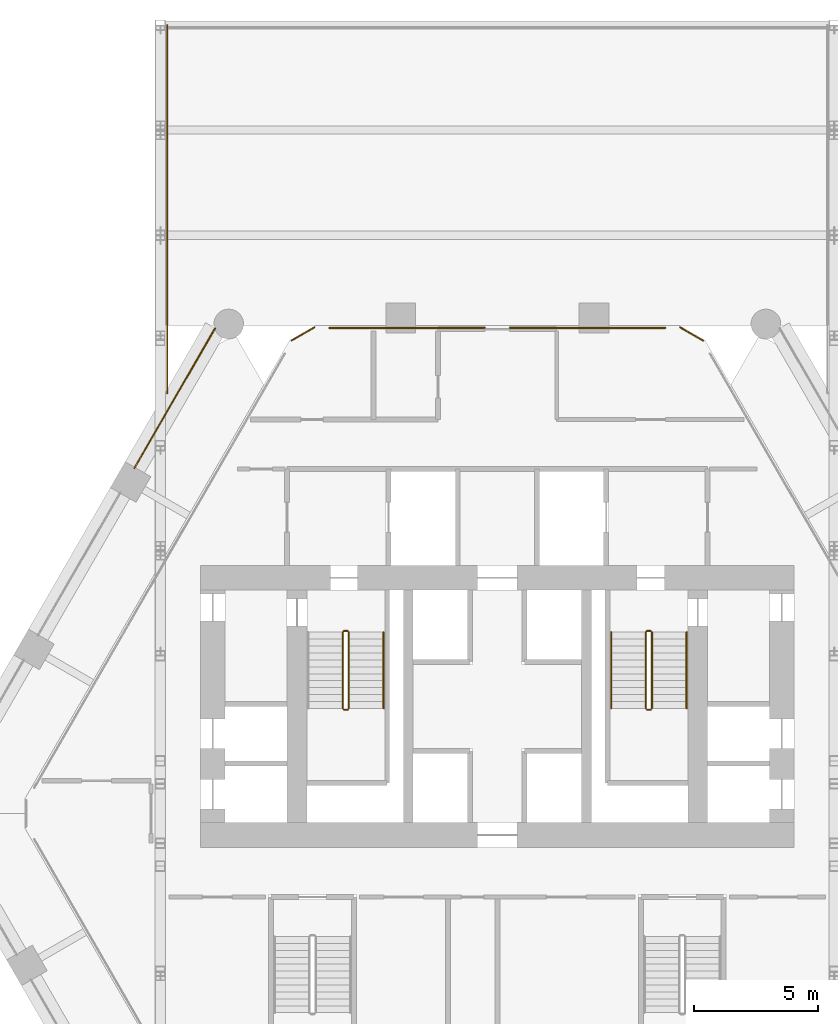
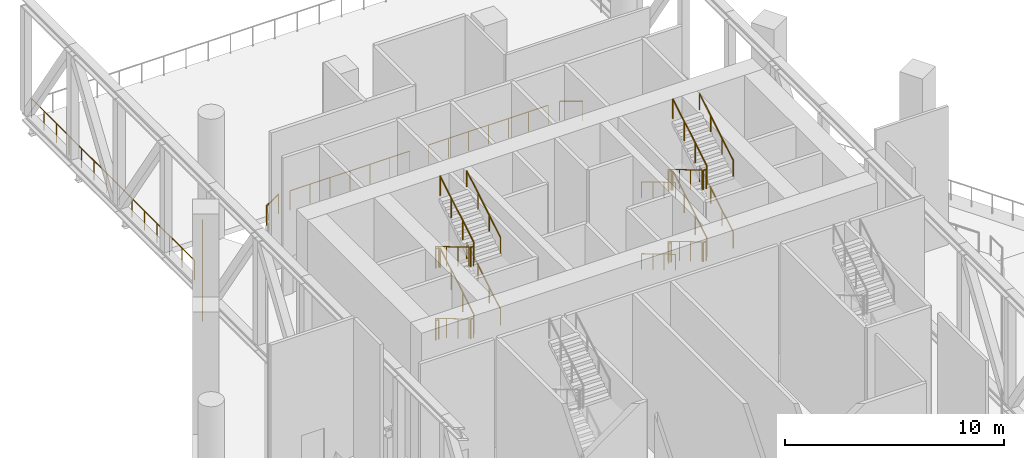
# One storey, part 15 of 16: 28 railings.
"""IFC4 building model written with IfcOpenShell, lengths in metres."""

import ifcopenshell
import ifcopenshell.guid

model = None  # the IFC model being written
_history = None  # IfcOwnerHistory: only IFC2X3 demands one
_inside = {}  # id of a spatial element -> (the spatial element, [elements in it])
_under = {}  # id of a project, library or spatial element -> (it, [spatial elements below it])
_declared = {}  # id of a project -> (the project, [libraries it declares])
_typed = {}  # id of a type object -> (the type object, [elements of that type])
_made_of = {}  # id of a material, layer set ... -> (it, [elements and type objects made of it])


def new_model(schema):
    """Start an empty IFC model of exactly this schema.

    Asked for "IFC4X3", IfcOpenShell would pick the latest addendum, in which some entities
    have other attributes; the version numbers below select the first issue.
    IFC2X3 requires an IfcOwnerHistory on every rooted entity: one is made here for all.
    """
    global model, _history
    if schema == "IFC4X3":
        model = ifcopenshell.file(schema_version=(4, 3, 0, 0))
    else:
        model = ifcopenshell.file(schema=schema)
    _inside.clear()
    _under.clear()
    _declared.clear()
    _typed.clear()
    _made_of.clear()
    _history = None
    if model.schema == "IFC2X3":
        org = make("IfcOrganization", Name="unknown")
        user = make(
            "IfcPersonAndOrganization",
            ThePerson=make("IfcPerson", FamilyName="unknown"),
            TheOrganization=org,
        )
        app = make(
            "IfcApplication",
            ApplicationDeveloper=org,
            Version="unknown",
            ApplicationFullName="unknown",
            ApplicationIdentifier="unknown",
        )
        _history = make(
            "IfcOwnerHistory",
            OwningUser=user,
            OwningApplication=app,
            ChangeAction="ADDED",
            CreationDate=0,
        )
    return model


def make(cls, **values):
    """One entity of the class cls with the attributes given. An attribute that is None is left unset."""
    return model.create_entity(
        cls, **{name: value for name, value in values.items() if value is not None}
    )


def rooted(cls, **values):
    """An entity with a GlobalId (a new one), such as an element, a storey or a relation."""
    return make(cls, GlobalId=ifcopenshell.guid.new(), OwnerHistory=_history, **values)


def si_unit(unit_type, name, prefix=None):
    """IfcSIUnit, for example si_unit("LENGTHUNIT", "METRE", prefix="MILLI")."""
    return make("IfcSIUnit", UnitType=unit_type, Prefix=prefix, Name=name)


def assignment(units):
    """IfcUnitAssignment: the units of a project."""
    return None if units is None else make("IfcUnitAssignment", Units=units)


def point(xyz):
    """IfcCartesianPoint."""
    return None if xyz is None else make("IfcCartesianPoint", Coordinates=xyz)


def direction(xyz):
    """IfcDirection."""
    return None if xyz is None else make("IfcDirection", DirectionRatios=xyz)


def frame(location, z_axis=None, x_axis=None):
    """IfcAxis2Placement3D, a coordinate frame: its origin and axes. An axis left out is left unset."""
    return make(
        "IfcAxis2Placement3D",
        Location=point(location),
        Axis=direction(z_axis),
        RefDirection=direction(x_axis),
    )


def frame_2d(location, x_axis=None):
    """IfcAxis2Placement2D, a coordinate frame in the plane: its origin and x axis."""
    return make(
        "IfcAxis2Placement2D", Location=point(location), RefDirection=direction(x_axis)
    )


def origin():
    """The frame at (0, 0, 0) with its axes left unset."""
    return frame((0.0, 0.0, 0.0))


def origin_2d():
    """The frame at (0, 0) in the plane with its x axis left unset."""
    return frame_2d((0.0, 0.0))


def place(relative_to, where):
    """IfcLocalPlacement: puts the frame where relative to a parent placement (None: the world)."""
    return make(
        "IfcLocalPlacement", PlacementRelTo=relative_to, RelativePlacement=where
    )


def context(
    kind, dimensions, precision=None, world=None, true_north=None, identifier=None
):
    """IfcGeometricRepresentationContext, for example the 3D "Model" context."""
    return make(
        "IfcGeometricRepresentationContext",
        ContextIdentifier=identifier,
        ContextType=kind,
        CoordinateSpaceDimension=dimensions,
        Precision=precision,
        WorldCoordinateSystem=world,
        TrueNorth=true_north,
    )


def subcontext(parent, identifier, kind, view, scale=None):
    """IfcGeometricRepresentationSubContext, for example "Body" below "Model"."""
    return make(
        "IfcGeometricRepresentationSubContext",
        ContextIdentifier=identifier,
        ContextType=kind,
        ParentContext=parent,
        TargetScale=scale,
        TargetView=view,
    )


def project(units=None, contexts=None):
    """IfcProject with its units and contexts."""
    return rooted(
        "IfcProject",
        Name="project",
        RepresentationContexts=contexts,
        UnitsInContext=assignment(units),
    )


def spatial(cls, under=None, at=None, **own):
    """A site, building, storey or space (cls), placed at a placement, below another one or the project."""
    s = rooted(cls, ObjectPlacement=at, **own)
    if under is not None:
        _under.setdefault(under.id(), (under, []))[1].append(s)
    return s


def profile(cls, at=None, kind="AREA", **sizes):
    """A parametric profile (cls). Its sizes go by their IFC names, for example OverallWidth=200.0."""
    return make(cls, ProfileType=kind, Position=at, **sizes)


def circle(**sizes):
    """IfcCircleProfileDef."""
    return profile("IfcCircleProfileDef", **sizes)


def extrude(swept, where, along, depth):
    """IfcExtrudedAreaSolid: the profile swept, set in the frame where, extruded along a direction by depth."""
    return make(
        "IfcExtrudedAreaSolid",
        SweptArea=swept,
        Position=where,
        ExtrudedDirection=direction(along),
        Depth=depth,
    )


def shape(context_of_items, identifier, shape_type, items):
    """IfcShapeRepresentation: the items that make up one representation, for example the "Body"."""
    return make(
        "IfcShapeRepresentation",
        ContextOfItems=context_of_items,
        RepresentationIdentifier=identifier,
        RepresentationType=shape_type,
        Items=items,
    )


def material(Name=None, Category=None):
    """IfcMaterial."""
    return make("IfcMaterial", Name=Name, Category=Category)


def made_of(thing, what):
    """Note that an element or type object is made of a material, layer set ...; save() writes the relation."""
    if what is not None:
        _made_of.setdefault(what.id(), (what, []))[1].append(thing)
    return thing


def type_object(cls, material=None, **own):
    """A type object (cls), such as IfcWallType, which elements share."""
    return made_of(rooted(cls, **own), material)


def element(
    cls,
    number,
    at=None,
    inside=None,
    cuts=None,
    type_object=None,
    material=None,
    context=None,
    identifier="Body",
    shape_type=None,
    held_by="IfcProductDefinitionShape",
    body=None,
    shapes=None,
    **own,
):
    """One element of the class cls, such as IfcWall. Its Tag is "e" and its number.

    at: its placement. inside: the storey or other place that contains it. cuts: it is an
    opening in that element (IfcRelVoidsElement). A single representation is given by context,
    identifier, shape_type and body (its items); several are given by shapes. held_by: the class
    of the entity that holds the representations. save() writes the other relations.
    """
    e = rooted(cls, Tag="e%d" % number, ObjectPlacement=at, **own)
    if body is not None:
        shapes = [shape(context, identifier, shape_type, body)]
    if shapes is not None:
        e.Representation = make(held_by, Representations=shapes)
    if inside is not None:
        _inside.setdefault(inside.id(), (inside, []))[1].append(e)
    if cuts is not None:
        rooted(
            "IfcRelVoidsElement", RelatingBuildingElement=cuts, RelatedOpeningElement=e
        )
    if type_object is not None:
        _typed.setdefault(type_object.id(), (type_object, []))[1].append(e)
    return made_of(e, material)


def aggregate(whole, parts):
    """IfcRelAggregates: a whole, such as a stair, and the parts it consists of."""
    return rooted("IfcRelAggregates", RelatingObject=whole, RelatedObjects=parts)


def save(model, path):
    """Write the relations noted so far, then the file.

    IfcRelAggregates (storeys below a building ...), IfcRelContainedInSpatialStructure (elements
    in a storey), IfcRelDefinesByType, IfcRelAssociatesMaterial and IfcRelDeclares: one each for
    every whole, place, type object, material and project.
    """
    for whole, parts in _under.values():
        aggregate(whole, parts)
    for where, things in _inside.values():
        rooted(
            "IfcRelContainedInSpatialStructure",
            RelatedElements=things,
            RelatingStructure=where,
        )
    for kind, things in _typed.values():
        rooted("IfcRelDefinesByType", RelatedObjects=things, RelatingType=kind)
    for what, things in _made_of.values():
        rooted("IfcRelAssociatesMaterial", RelatedObjects=things, RelatingMaterial=what)
    for by, libraries in _declared.values():
        rooted("IfcRelDeclares", RelatingContext=by, RelatedDefinitions=libraries)
    model.write(path)


model = new_model("IFC4")

# Units and contexts
model_context = context("Model", 3, precision=1e-05, world=origin(), true_north=direction((0.0, 1.0)))
body_context = subcontext(model_context, "Body", "Model", "MODEL_VIEW")
ifc_project = project(units=[si_unit("LENGTHUNIT", "METRE"), si_unit("AREAUNIT", "SQUARE_METRE"), si_unit("VOLUMEUNIT", "CUBIC_METRE"), si_unit("PLANEANGLEUNIT", "RADIAN"), si_unit("MASSUNIT", "GRAM", prefix="KILO")], contexts=[model_context])

# Site, building, storey
site_placement = place(None, origin())
site = spatial("IfcSite", under=ifc_project, at=site_placement, CompositionType="ELEMENT")
building_placement = place(site_placement, origin())
building = spatial("IfcBuilding", under=site, at=building_placement, Name="Ostrander Bayou Hotel Tower", CompositionType="ELEMENT")
storey_placement = place(building_placement, frame((0.0, 0.0, 108.0)))
storey = spatial("IfcBuildingStorey", under=building, at=storey_placement, Name="L27", CompositionType="ELEMENT", Elevation=108.0)

# Railings
ifc_material_1 = material(Name="Stainless steel and clear glass", Category="steel")
railing_type_1 = type_object("IfcRailingType", Name="GR1 guard 1100 mm", PredefinedType="GUARDRAIL", material=ifc_material_1)
railing_1_placement = place(storey_placement, frame((-11.407958984375, 19.286376953125, 0.0)))
element("IfcRailing", 1, at=railing_1_placement, inside=storey, type_object=railing_type_1, Name="GR1 L27 NW-1 open band guard", PredefinedType="GUARDRAIL", context=body_context, shape_type="SweptSolid", body=[
    extrude(circle(Radius=0.02490234375, at=origin_2d()), frame((0.0, 0.0, 1.0751953125), z_axis=(-0.499971966783, -0.866041588165, 0.0), x_axis=(0.866041588165, -0.499971966783, 0.0)), (0.0, 0.0, 1.0), 6.521728515625),
    extrude(circle(Radius=0.02001953125, at=origin_2d()), origin(), (0.0, 0.0, 1.0), 1.050048828125),
    extrude(circle(Radius=0.02001953125, at=origin_2d()), frame((-0.54345703125, -0.94140625, 0.0)), (0.0, 0.0, 1.0), 1.050048828125),
    extrude(circle(Radius=0.02001953125, at=origin_2d()), frame((-1.0869140625, -1.8828125, 0.0)), (0.0, 0.0, 1.0), 1.050048828125),
    extrude(circle(Radius=0.02001953125, at=origin_2d()), frame((-1.63037109375, -2.82421875, 0.0)), (0.0, 0.0, 1.0), 1.050048828125),
    extrude(circle(Radius=0.02001953125, at=origin_2d()), frame((-2.173828125, -3.765380859375, 0.0)), (0.0, 0.0, 1.0), 1.050048828125),
    extrude(circle(Radius=0.02001953125, at=origin_2d()), frame((-2.71728515625, -4.706787109375, 0.0)), (0.0, 0.0, 1.0), 1.050048828125),
    extrude(circle(Radius=0.02001953125, at=origin_2d()), frame((-3.2607421875, -5.648193359375, 0.0)), (0.0, 0.0, 1.0), 1.050048828125),
])
railing_2_placement = place(storey_placement, frame((-7.393310546875, 19.324951171875, 0.0)))
element("IfcRailing", 2, at=railing_2_placement, inside=storey, type_object=railing_type_1, Name="GR1 L27 corner guard 1", PredefinedType="GUARDRAIL", context=body_context, shape_type="SweptSolid", body=[
    extrude(circle(Radius=0.02490234375, at=origin_2d()), frame((0.0, 0.0, 1.0751953125), z_axis=(-0.865990848561, -0.500059846627, 0.0), x_axis=(0.500059846627, -0.865990848561, 0.0)), (0.0, 0.0, 1.0), 1.064697265625),
    extrude(circle(Radius=0.02001953125, at=origin_2d()), origin(), (0.0, 0.0, 1.0), 1.050048828125),
    extrude(circle(Radius=0.02001953125, at=origin_2d()), frame((-0.922119140625, -0.532470703125, 0.0)), (0.0, 0.0, 1.0), 1.050048828125),
])
railing_3_placement = place(storey_placement, frame((8.3154296875, 18.79248046875, 0.0)))
element("IfcRailing", 3, at=railing_3_placement, inside=storey, type_object=railing_type_1, Name="GR1 L27 corner guard 6", PredefinedType="GUARDRAIL", context=body_context, shape_type="SweptSolid", body=[
    extrude(circle(Radius=0.02490234375, at=origin_2d()), frame((0.0, 0.0, 1.0751953125), z_axis=(-0.865990848561, 0.500059846627, 0.0), x_axis=(-0.500059846627, -0.865990848561, 0.0)), (0.0, 0.0, 1.0), 1.064697265625),
    extrude(circle(Radius=0.02001953125, at=origin_2d()), origin(), (0.0, 0.0, 1.0), 1.050048828125),
    extrude(circle(Radius=0.02001953125, at=origin_2d()), frame((-0.922119140625, 0.532470703125, 0.0)), (0.0, 0.0, 1.0), 1.050048828125),
])
railing_4_placement = place(storey_placement, frame((-13.34228515625, 31.54541015625, 0.0)))
element("IfcRailing", 4, at=railing_4_placement, inside=storey, type_object=railing_type_1, Name="GR1 bar roof guard SB2 4", PredefinedType="GUARDRAIL", context=body_context, shape_type="SweptSolid", body=[
    extrude(circle(Radius=0.02490234375, at=origin_2d()), frame((0.0, 0.0, 1.0751953125), z_axis=(0.0, -1.0, 0.0), x_axis=(1.0, 0.0, 0.0)), (0.0, 0.0, 1.0), 14.882568359375),
    extrude(circle(Radius=0.02001953125, at=origin_2d()), origin(), (0.0, 0.0, 1.0), 1.050048828125),
    extrude(circle(Radius=0.02001953125, at=origin_2d()), frame((0.0, -1.144775390625, 0.0)), (0.0, 0.0, 1.0), 1.050048828125),
    extrude(circle(Radius=0.02001953125, at=origin_2d()), frame((0.0, -2.28955078125, 0.0)), (0.0, 0.0, 1.0), 1.050048828125),
    extrude(circle(Radius=0.02001953125, at=origin_2d()), frame((0.0, -3.434326171875, 0.0)), (0.0, 0.0, 1.0), 1.050048828125),
    extrude(circle(Radius=0.02001953125, at=origin_2d()), frame((0.0, -4.579345703125, 0.0)), (0.0, 0.0, 1.0), 1.050048828125),
    extrude(circle(Radius=0.02001953125, at=origin_2d()), frame((0.0, -5.72412109375, 0.0)), (0.0, 0.0, 1.0), 1.050048828125),
    extrude(circle(Radius=0.02001953125, at=origin_2d()), frame((0.0, -6.868896484375, 0.0)), (0.0, 0.0, 1.0), 1.050048828125),
    extrude(circle(Radius=0.02001953125, at=origin_2d()), frame((0.0, -8.013671875, 0.0)), (0.0, 0.0, 1.0), 1.050048828125),
    extrude(circle(Radius=0.02001953125, at=origin_2d()), frame((0.0, -9.158447265625, 0.0)), (0.0, 0.0, 1.0), 1.050048828125),
    extrude(circle(Radius=0.02001953125, at=origin_2d()), frame((0.0, -10.30322265625, 0.0)), (0.0, 0.0, 1.0), 1.050048828125),
    extrude(circle(Radius=0.02001953125, at=origin_2d()), frame((0.0, -11.4482421875, 0.0)), (0.0, 0.0, 1.0), 1.050048828125),
    extrude(circle(Radius=0.02001953125, at=origin_2d()), frame((0.0, -12.593017578125, 0.0)), (0.0, 0.0, 1.0), 1.050048828125),
    extrude(circle(Radius=0.02001953125, at=origin_2d()), frame((0.0, -13.73779296875, 0.0)), (0.0, 0.0, 1.0), 1.050048828125),
    extrude(circle(Radius=0.02001953125, at=origin_2d()), frame((0.0, -14.882568359375, 0.0)), (0.0, 0.0, 1.0), 1.050048828125),
])
for number, where, name in (
    (5, (-6.794189453125, 19.300048828125, 0.0), "GR1 L27 edge guard 1"),
    (6, (0.5, 19.300048828125, 0.0), "GR1 L27 edge guard 1"),
):
    element("IfcRailing", number, at=place(storey_placement, frame(where)), inside=storey, type_object=railing_type_1, Name=name, PredefinedType="GUARDRAIL", context=body_context, shape_type="SweptSolid", body=[
        extrude(circle(Radius=0.02490234375, at=origin_2d()), frame((0.0, 0.0, 1.0751953125), z_axis=(1.0, 0.0, 0.0), x_axis=(0.0, 1.0, 0.0)), (0.0, 0.0, 1.0), 6.294189453125),
        extrude(circle(Radius=0.02001953125, at=origin_2d()), origin(), (0.0, 0.0, 1.0), 1.050048828125),
        extrude(circle(Radius=0.02001953125, at=origin_2d()), frame((1.049072265625, 0.0, 0.0)), (0.0, 0.0, 1.0), 1.050048828125),
        extrude(circle(Radius=0.02001953125, at=origin_2d()), frame((2.09814453125, 0.0, 0.0)), (0.0, 0.0, 1.0), 1.050048828125),
        extrude(circle(Radius=0.02001953125, at=origin_2d()), frame((3.14697265625, 0.0, 0.0)), (0.0, 0.0, 1.0), 1.050048828125),
        extrude(circle(Radius=0.02001953125, at=origin_2d()), frame((4.196044921875, 0.0, 0.0)), (0.0, 0.0, 1.0), 1.050048828125),
        extrude(circle(Radius=0.02001953125, at=origin_2d()), frame((5.2451171875, 0.0, 0.0)), (0.0, 0.0, 1.0), 1.050048828125),
        extrude(circle(Radius=0.02001953125, at=origin_2d()), frame((6.294189453125, 0.0, 0.0)), (0.0, 0.0, 1.0), 1.050048828125),
    ])
ifc_material_2 = material(Name="Steel ASTM A500 Gr C", Category="steel")
railing_type_2 = type_object("IfcRailingType", Name="GR1 stair guard 1100 mm steel", PredefinedType="GUARDRAIL", material=ifc_material_2)
railing_5_placement = place(storey_placement, frame((-6.25, 7.0, 0.166748046875)))
element("IfcRailing", 7, at=railing_5_placement, inside=storey, type_object=railing_type_2, Name="L27 STA stair guard 1", PredefinedType="GUARDRAIL", context=body_context, shape_type="SweptSolid", body=[
    extrude(circle(Radius=0.02392578125, at=origin_2d()), frame((0.0, 0.0, 1.076171875), z_axis=(0.0, -0.859308565015, 0.511457515432), x_axis=(1.0, 0.0, 0.0)), (0.0, 0.0, 1.0), 3.58447265625),
    extrude(circle(Radius=0.02099609375, at=origin_2d()), origin(), (0.0, 0.0, 1.0), 1.052001953125),
    extrude(circle(Radius=0.02099609375, at=origin_2d()), frame((0.0, -1.026611328125, 0.611083984375)), (0.0, 0.0, 1.0), 1.052001953125),
    extrude(circle(Radius=0.02099609375, at=origin_2d()), frame((0.0, -2.053466796875, 1.22216796875)), (0.0, 0.0, 1.0), 1.052001953125),
    extrude(circle(Radius=0.02099609375, at=origin_2d()), frame((0.0, -3.080078125, 1.833251953125)), (0.0, 0.0, 1.0), 1.052001953125),
])
railing_6_placement = place(storey_placement, frame((-6.199951171875, 3.8701171875, 2.0)))
element("IfcRailing", 8, at=railing_6_placement, inside=storey, type_object=railing_type_2, Name="L27 STA stair guard 2", PredefinedType="GUARDRAIL", context=body_context, shape_type="SweptSolid", body=[
    extrude(circle(Radius=0.02392578125, at=origin_2d()), frame((0.0, 0.0, 1.076171875), z_axis=(1.0, 0.0, 0.0), x_axis=(0.0, 1.0, 0.0)), (0.0, 0.0, 1.0), 0.14990234375),
    extrude(circle(Radius=0.02099609375, at=origin_2d()), origin(), (0.0, 0.0, 1.0), 1.052001953125),
    extrude(circle(Radius=0.02099609375, at=origin_2d()), frame((0.14990234375, 0.0, 0.0)), (0.0, 0.0, 1.0), 1.052001953125),
])
railing_7_placement = place(storey_placement, frame((-6.0, 3.919921875, 2.166748046875)))
element("IfcRailing", 9, at=railing_7_placement, inside=storey, type_object=railing_type_2, Name="L27 STA stair guard 3", PredefinedType="GUARDRAIL", context=body_context, shape_type="SweptSolid", body=[
    extrude(circle(Radius=0.02392578125, at=origin_2d()), frame((0.0, 0.0, 1.076171875), z_axis=(0.0, 0.859308565015, 0.511457515432), x_axis=(-1.0, 0.0, 0.0)), (0.0, 0.0, 1.0), 3.58447265625),
    extrude(circle(Radius=0.02099609375, at=origin_2d()), origin(), (0.0, 0.0, 1.0), 1.052001953125),
    extrude(circle(Radius=0.02099609375, at=origin_2d()), frame((0.0, 1.026611328125, 0.611083984375)), (0.0, 0.0, 1.0), 1.052001953125),
    extrude(circle(Radius=0.02099609375, at=origin_2d()), frame((0.0, 2.053466796875, 1.22216796875)), (0.0, 0.0, 1.0), 1.052001953125),
    extrude(circle(Radius=0.02099609375, at=origin_2d()), frame((0.0, 3.080078125, 1.833251953125)), (0.0, 0.0, 1.0), 1.052001953125),
])
railing_8_placement = place(storey_placement, frame((-6.199951171875, 7.050048828125, 4.0)))
element("IfcRailing", 10, at=railing_8_placement, inside=storey, type_object=railing_type_2, Name="L27 STA stair guard 4", PredefinedType="GUARDRAIL", context=body_context, shape_type="SweptSolid", body=[
    extrude(circle(Radius=0.02392578125, at=origin_2d()), frame((0.0, 0.0, 1.076171875), z_axis=(1.0, 0.0, 0.0), x_axis=(0.0, 1.0, 0.0)), (0.0, 0.0, 1.0), 0.14990234375),
    extrude(circle(Radius=0.02099609375, at=origin_2d()), origin(), (0.0, 0.0, 1.0), 1.052001953125),
    extrude(circle(Radius=0.02099609375, at=origin_2d()), frame((0.14990234375, 0.0, 0.0)), (0.0, 0.0, 1.0), 1.052001953125),
])
railing_9_placement = place(storey_placement, frame((-6.25, 7.0, 4.166748046875)))
element("IfcRailing", 11, at=railing_9_placement, inside=storey, type_object=railing_type_2, Name="L27 STA stair guard 5", PredefinedType="GUARDRAIL", context=body_context, shape_type="SweptSolid", body=[
    extrude(circle(Radius=0.02392578125, at=origin_2d()), frame((0.0, 0.0, 1.076171875), z_axis=(0.0, -0.859308565015, 0.511457515432), x_axis=(1.0, 0.0, 0.0)), (0.0, 0.0, 1.0), 3.58447265625),
    extrude(circle(Radius=0.02099609375, at=origin_2d()), origin(), (0.0, 0.0, 1.0), 1.052001953125),
    extrude(circle(Radius=0.02099609375, at=origin_2d()), frame((0.0, -1.026611328125, 0.611083984375)), (0.0, 0.0, 1.0), 1.052001953125),
    extrude(circle(Radius=0.02099609375, at=origin_2d()), frame((0.0, -2.053466796875, 1.22216796875)), (0.0, 0.0, 1.0), 1.052001953125),
    extrude(circle(Radius=0.02099609375, at=origin_2d()), frame((0.0, -3.080078125, 1.833251953125)), (0.0, 0.0, 1.0), 1.052001953125),
])
railing_10_placement = place(storey_placement, frame((-6.199951171875, 3.8701171875, 6.0)))
element("IfcRailing", 12, at=railing_10_placement, inside=storey, type_object=railing_type_2, Name="L27 STA stair guard 6", PredefinedType="GUARDRAIL", context=body_context, shape_type="SweptSolid", body=[
    extrude(circle(Radius=0.02392578125, at=origin_2d()), frame((0.0, 0.0, 1.076171875), z_axis=(1.0, 0.0, 0.0), x_axis=(0.0, 1.0, 0.0)), (0.0, 0.0, 1.0), 0.14990234375),
    extrude(circle(Radius=0.02099609375, at=origin_2d()), origin(), (0.0, 0.0, 1.0), 1.052001953125),
    extrude(circle(Radius=0.02099609375, at=origin_2d()), frame((0.14990234375, 0.0, 0.0)), (0.0, 0.0, 1.0), 1.052001953125),
])
railing_11_placement = place(storey_placement, frame((-6.0, 3.919921875, 6.166748046875)))
element("IfcRailing", 13, at=railing_11_placement, inside=storey, type_object=railing_type_2, Name="L27 STA stair guard 7", PredefinedType="GUARDRAIL", context=body_context, shape_type="SweptSolid", body=[
    extrude(circle(Radius=0.02392578125, at=origin_2d()), frame((0.0, 0.0, 1.076171875), z_axis=(0.0, 0.859308565015, 0.511457515432), x_axis=(-1.0, 0.0, 0.0)), (0.0, 0.0, 1.0), 3.58447265625),
    extrude(circle(Radius=0.02099609375, at=origin_2d()), origin(), (0.0, 0.0, 1.0), 1.052001953125),
    extrude(circle(Radius=0.02099609375, at=origin_2d()), frame((0.0, 1.026611328125, 0.611083984375)), (0.0, 0.0, 1.0), 1.052001953125),
    extrude(circle(Radius=0.02099609375, at=origin_2d()), frame((0.0, 2.053466796875, 1.22216796875)), (0.0, 0.0, 1.0), 1.052001953125),
    extrude(circle(Radius=0.02099609375, at=origin_2d()), frame((0.0, 3.080078125, 1.833251953125)), (0.0, 0.0, 1.0), 1.052001953125),
])
railing_12_placement = place(storey_placement, frame((-6.199951171875, 7.050048828125, 0.0)))
element("IfcRailing", 14, at=railing_12_placement, inside=storey, type_object=railing_type_2, Name="L27 STA stair guard 8", PredefinedType="GUARDRAIL", context=body_context, shape_type="SweptSolid", body=[
    extrude(circle(Radius=0.02392578125, at=origin_2d()), frame((0.0, 0.0, 1.076171875), z_axis=(1.0, 0.0, 0.0), x_axis=(0.0, 1.0, 0.0)), (0.0, 0.0, 1.0), 0.14990234375),
    extrude(circle(Radius=0.02099609375, at=origin_2d()), origin(), (0.0, 0.0, 1.0), 1.052001953125),
    extrude(circle(Radius=0.02099609375, at=origin_2d()), frame((0.14990234375, 0.0, 0.0)), (0.0, 0.0, 1.0), 1.052001953125),
])
railing_13_placement = place(storey_placement, frame((6.0, 7.0, 0.166748046875)))
element("IfcRailing", 15, at=railing_13_placement, inside=storey, type_object=railing_type_2, Name="L27 STB stair guard 1", PredefinedType="GUARDRAIL", context=body_context, shape_type="SweptSolid", body=[
    extrude(circle(Radius=0.02392578125, at=origin_2d()), frame((0.0, 0.0, 1.076171875), z_axis=(0.0, -0.859308565015, 0.511457515432), x_axis=(1.0, 0.0, 0.0)), (0.0, 0.0, 1.0), 3.58447265625),
    extrude(circle(Radius=0.02099609375, at=origin_2d()), origin(), (0.0, 0.0, 1.0), 1.052001953125),
    extrude(circle(Radius=0.02099609375, at=origin_2d()), frame((0.0, -1.026611328125, 0.611083984375)), (0.0, 0.0, 1.0), 1.052001953125),
    extrude(circle(Radius=0.02099609375, at=origin_2d()), frame((0.0, -2.053466796875, 1.22216796875)), (0.0, 0.0, 1.0), 1.052001953125),
    extrude(circle(Radius=0.02099609375, at=origin_2d()), frame((0.0, -3.080078125, 1.833251953125)), (0.0, 0.0, 1.0), 1.052001953125),
])
railing_14_placement = place(storey_placement, frame((6.050048828125, 3.8701171875, 2.0)))
element("IfcRailing", 16, at=railing_14_placement, inside=storey, type_object=railing_type_2, Name="L27 STB stair guard 2", PredefinedType="GUARDRAIL", context=body_context, shape_type="SweptSolid", body=[
    extrude(circle(Radius=0.02392578125, at=origin_2d()), frame((0.0, 0.0, 1.076171875), z_axis=(1.0, 0.0, 0.0), x_axis=(0.0, 1.0, 0.0)), (0.0, 0.0, 1.0), 0.14990234375),
    extrude(circle(Radius=0.02099609375, at=origin_2d()), origin(), (0.0, 0.0, 1.0), 1.052001953125),
    extrude(circle(Radius=0.02099609375, at=origin_2d()), frame((0.14990234375, 0.0, 0.0)), (0.0, 0.0, 1.0), 1.052001953125),
])
railing_15_placement = place(storey_placement, frame((6.25, 3.919921875, 2.166748046875)))
element("IfcRailing", 17, at=railing_15_placement, inside=storey, type_object=railing_type_2, Name="L27 STB stair guard 3", PredefinedType="GUARDRAIL", context=body_context, shape_type="SweptSolid", body=[
    extrude(circle(Radius=0.02392578125, at=origin_2d()), frame((0.0, 0.0, 1.076171875), z_axis=(0.0, 0.859308565015, 0.511457515432), x_axis=(-1.0, 0.0, 0.0)), (0.0, 0.0, 1.0), 3.58447265625),
    extrude(circle(Radius=0.02099609375, at=origin_2d()), origin(), (0.0, 0.0, 1.0), 1.052001953125),
    extrude(circle(Radius=0.02099609375, at=origin_2d()), frame((0.0, 1.026611328125, 0.611083984375)), (0.0, 0.0, 1.0), 1.052001953125),
    extrude(circle(Radius=0.02099609375, at=origin_2d()), frame((0.0, 2.053466796875, 1.22216796875)), (0.0, 0.0, 1.0), 1.052001953125),
    extrude(circle(Radius=0.02099609375, at=origin_2d()), frame((0.0, 3.080078125, 1.833251953125)), (0.0, 0.0, 1.0), 1.052001953125),
])
railing_16_placement = place(storey_placement, frame((6.050048828125, 7.050048828125, 4.0)))
element("IfcRailing", 18, at=railing_16_placement, inside=storey, type_object=railing_type_2, Name="L27 STB stair guard 4", PredefinedType="GUARDRAIL", context=body_context, shape_type="SweptSolid", body=[
    extrude(circle(Radius=0.02392578125, at=origin_2d()), frame((0.0, 0.0, 1.076171875), z_axis=(1.0, 0.0, 0.0), x_axis=(0.0, 1.0, 0.0)), (0.0, 0.0, 1.0), 0.14990234375),
    extrude(circle(Radius=0.02099609375, at=origin_2d()), origin(), (0.0, 0.0, 1.0), 1.052001953125),
    extrude(circle(Radius=0.02099609375, at=origin_2d()), frame((0.14990234375, 0.0, 0.0)), (0.0, 0.0, 1.0), 1.052001953125),
])
railing_17_placement = place(storey_placement, frame((6.0, 7.0, 4.166748046875)))
element("IfcRailing", 19, at=railing_17_placement, inside=storey, type_object=railing_type_2, Name="L27 STB stair guard 5", PredefinedType="GUARDRAIL", context=body_context, shape_type="SweptSolid", body=[
    extrude(circle(Radius=0.02392578125, at=origin_2d()), frame((0.0, 0.0, 1.076171875), z_axis=(0.0, -0.859308565015, 0.511457515432), x_axis=(1.0, 0.0, 0.0)), (0.0, 0.0, 1.0), 3.58447265625),
    extrude(circle(Radius=0.02099609375, at=origin_2d()), origin(), (0.0, 0.0, 1.0), 1.052001953125),
    extrude(circle(Radius=0.02099609375, at=origin_2d()), frame((0.0, -1.026611328125, 0.611083984375)), (0.0, 0.0, 1.0), 1.052001953125),
    extrude(circle(Radius=0.02099609375, at=origin_2d()), frame((0.0, -2.053466796875, 1.22216796875)), (0.0, 0.0, 1.0), 1.052001953125),
    extrude(circle(Radius=0.02099609375, at=origin_2d()), frame((0.0, -3.080078125, 1.833251953125)), (0.0, 0.0, 1.0), 1.052001953125),
])
railing_18_placement = place(storey_placement, frame((6.050048828125, 3.8701171875, 6.0)))
element("IfcRailing", 20, at=railing_18_placement, inside=storey, type_object=railing_type_2, Name="L27 STB stair guard 6", PredefinedType="GUARDRAIL", context=body_context, shape_type="SweptSolid", body=[
    extrude(circle(Radius=0.02392578125, at=origin_2d()), frame((0.0, 0.0, 1.076171875), z_axis=(1.0, 0.0, 0.0), x_axis=(0.0, 1.0, 0.0)), (0.0, 0.0, 1.0), 0.14990234375),
    extrude(circle(Radius=0.02099609375, at=origin_2d()), origin(), (0.0, 0.0, 1.0), 1.052001953125),
    extrude(circle(Radius=0.02099609375, at=origin_2d()), frame((0.14990234375, 0.0, 0.0)), (0.0, 0.0, 1.0), 1.052001953125),
])
railing_19_placement = place(storey_placement, frame((6.25, 3.919921875, 6.166748046875)))
element("IfcRailing", 21, at=railing_19_placement, inside=storey, type_object=railing_type_2, Name="L27 STB stair guard 7", PredefinedType="GUARDRAIL", context=body_context, shape_type="SweptSolid", body=[
    extrude(circle(Radius=0.02392578125, at=origin_2d()), frame((0.0, 0.0, 1.076171875), z_axis=(0.0, 0.859308565015, 0.511457515432), x_axis=(-1.0, 0.0, 0.0)), (0.0, 0.0, 1.0), 3.58447265625),
    extrude(circle(Radius=0.02099609375, at=origin_2d()), origin(), (0.0, 0.0, 1.0), 1.052001953125),
    extrude(circle(Radius=0.02099609375, at=origin_2d()), frame((0.0, 1.026611328125, 0.611083984375)), (0.0, 0.0, 1.0), 1.052001953125),
    extrude(circle(Radius=0.02099609375, at=origin_2d()), frame((0.0, 2.053466796875, 1.22216796875)), (0.0, 0.0, 1.0), 1.052001953125),
    extrude(circle(Radius=0.02099609375, at=origin_2d()), frame((0.0, 3.080078125, 1.833251953125)), (0.0, 0.0, 1.0), 1.052001953125),
])
railing_20_placement = place(storey_placement, frame((6.050048828125, 7.050048828125, 0.0)))
element("IfcRailing", 22, at=railing_20_placement, inside=storey, type_object=railing_type_2, Name="L27 STB stair guard 8", PredefinedType="GUARDRAIL", context=body_context, shape_type="SweptSolid", body=[
    extrude(circle(Radius=0.02392578125, at=origin_2d()), frame((0.0, 0.0, 1.076171875), z_axis=(1.0, 0.0, 0.0), x_axis=(0.0, 1.0, 0.0)), (0.0, 0.0, 1.0), 0.14990234375),
    extrude(circle(Radius=0.02099609375, at=origin_2d()), origin(), (0.0, 0.0, 1.0), 1.052001953125),
    extrude(circle(Radius=0.02099609375, at=origin_2d()), frame((0.14990234375, 0.0, 0.0)), (0.0, 0.0, 1.0), 1.052001953125),
])
ifc_material_3 = material(Name="Steel ASTM A500 Gr C", Category="steel")
railing_type_3 = type_object("IfcRailingType", Name="HR1 stair handrail 900 mm steel", PredefinedType="HANDRAIL", material=ifc_material_3)
for number, where, name in (
    (23, (-4.60009765625, 3.919921875, 2.166748046875), "L27 STA stair handrail 2"),
    (24, (-4.60009765625, 3.919921875, 6.166748046875), "L27 STA stair handrail 4"),
):
    element("IfcRailing", number, at=place(storey_placement, frame(where)), inside=storey, type_object=railing_type_3, Name=name, PredefinedType="HANDRAIL", context=body_context, shape_type="SweptSolid", body=[
        extrude(circle(Radius=0.02392578125, at=origin_2d()), frame((0.0, 0.0, 0.8759765625), z_axis=(0.0, 0.859308565015, 0.511457515432), x_axis=(-1.0, 0.0, 0.0)), (0.0, 0.0, 1.0), 3.58447265625),
        extrude(circle(Radius=0.02099609375, at=origin_2d()), origin(), (0.0, 0.0, 1.0), 0.851806640625),
        extrude(circle(Radius=0.02099609375, at=origin_2d()), frame((0.0, 1.026611328125, 0.611083984375)), (0.0, 0.0, 1.0), 0.851806640625),
        extrude(circle(Radius=0.02099609375, at=origin_2d()), frame((0.0, 2.053466796875, 1.22216796875)), (0.0, 0.0, 1.0), 0.851806640625),
        extrude(circle(Radius=0.02099609375, at=origin_2d()), frame((0.0, 3.080078125, 1.833251953125)), (0.0, 0.0, 1.0), 0.851806640625),
    ])
railing_21_placement = place(storey_placement, frame((4.60009765625, 7.0, 0.166748046875)))
element("IfcRailing", 25, at=railing_21_placement, inside=storey, type_object=railing_type_3, Name="L27 STB stair handrail 1", PredefinedType="HANDRAIL", context=body_context, shape_type="SweptSolid", body=[
    extrude(circle(Radius=0.02392578125, at=origin_2d()), frame((0.0, 0.0, 0.8759765625), z_axis=(0.0, -0.859308565015, 0.511457515432), x_axis=(1.0, 0.0, 0.0)), (0.0, 0.0, 1.0), 3.58447265625),
    extrude(circle(Radius=0.02099609375, at=origin_2d()), origin(), (0.0, 0.0, 1.0), 0.851806640625),
    extrude(circle(Radius=0.02099609375, at=origin_2d()), frame((0.0, -1.026611328125, 0.611083984375)), (0.0, 0.0, 1.0), 0.851806640625),
    extrude(circle(Radius=0.02099609375, at=origin_2d()), frame((0.0, -2.053466796875, 1.22216796875)), (0.0, 0.0, 1.0), 0.851806640625),
    extrude(circle(Radius=0.02099609375, at=origin_2d()), frame((0.0, -3.080078125, 1.833251953125)), (0.0, 0.0, 1.0), 0.851806640625),
])
railing_22_placement = place(storey_placement, frame((7.64990234375, 3.919921875, 2.166748046875)))
element("IfcRailing", 26, at=railing_22_placement, inside=storey, type_object=railing_type_3, Name="L27 STB stair handrail 2", PredefinedType="HANDRAIL", context=body_context, shape_type="SweptSolid", body=[
    extrude(circle(Radius=0.02392578125, at=origin_2d()), frame((0.0, 0.0, 0.8759765625), z_axis=(0.0, 0.859308565015, 0.511457515432), x_axis=(-1.0, 0.0, 0.0)), (0.0, 0.0, 1.0), 3.58447265625),
    extrude(circle(Radius=0.02099609375, at=origin_2d()), origin(), (0.0, 0.0, 1.0), 0.851806640625),
    extrude(circle(Radius=0.02099609375, at=origin_2d()), frame((0.0, 1.026611328125, 0.611083984375)), (0.0, 0.0, 1.0), 0.851806640625),
    extrude(circle(Radius=0.02099609375, at=origin_2d()), frame((0.0, 2.053466796875, 1.22216796875)), (0.0, 0.0, 1.0), 0.851806640625),
    extrude(circle(Radius=0.02099609375, at=origin_2d()), frame((0.0, 3.080078125, 1.833251953125)), (0.0, 0.0, 1.0), 0.851806640625),
])
railing_23_placement = place(storey_placement, frame((4.60009765625, 7.0, 4.166748046875)))
element("IfcRailing", 27, at=railing_23_placement, inside=storey, type_object=railing_type_3, Name="L27 STB stair handrail 3", PredefinedType="HANDRAIL", context=body_context, shape_type="SweptSolid", body=[
    extrude(circle(Radius=0.02392578125, at=origin_2d()), frame((0.0, 0.0, 0.8759765625), z_axis=(0.0, -0.859308565015, 0.511457515432), x_axis=(1.0, 0.0, 0.0)), (0.0, 0.0, 1.0), 3.58447265625),
    extrude(circle(Radius=0.02099609375, at=origin_2d()), origin(), (0.0, 0.0, 1.0), 0.851806640625),
    extrude(circle(Radius=0.02099609375, at=origin_2d()), frame((0.0, -1.026611328125, 0.611083984375)), (0.0, 0.0, 1.0), 0.851806640625),
    extrude(circle(Radius=0.02099609375, at=origin_2d()), frame((0.0, -2.053466796875, 1.22216796875)), (0.0, 0.0, 1.0), 0.851806640625),
    extrude(circle(Radius=0.02099609375, at=origin_2d()), frame((0.0, -3.080078125, 1.833251953125)), (0.0, 0.0, 1.0), 0.851806640625),
])
railing_24_placement = place(storey_placement, frame((7.64990234375, 3.919921875, 6.166748046875)))
element("IfcRailing", 28, at=railing_24_placement, inside=storey, type_object=railing_type_3, Name="L27 STB stair handrail 4", PredefinedType="HANDRAIL", context=body_context, shape_type="SweptSolid", body=[
    extrude(circle(Radius=0.02392578125, at=origin_2d()), frame((0.0, 0.0, 0.8759765625), z_axis=(0.0, 0.859308565015, 0.511457515432), x_axis=(-1.0, 0.0, 0.0)), (0.0, 0.0, 1.0), 3.58447265625),
    extrude(circle(Radius=0.02099609375, at=origin_2d()), origin(), (0.0, 0.0, 1.0), 0.851806640625),
    extrude(circle(Radius=0.02099609375, at=origin_2d()), frame((0.0, 1.026611328125, 0.611083984375)), (0.0, 0.0, 1.0), 0.851806640625),
    extrude(circle(Radius=0.02099609375, at=origin_2d()), frame((0.0, 2.053466796875, 1.22216796875)), (0.0, 0.0, 1.0), 0.851806640625),
    extrude(circle(Radius=0.02099609375, at=origin_2d()), frame((0.0, 3.080078125, 1.833251953125)), (0.0, 0.0, 1.0), 0.851806640625),
])

save(model, "model.ifc")
